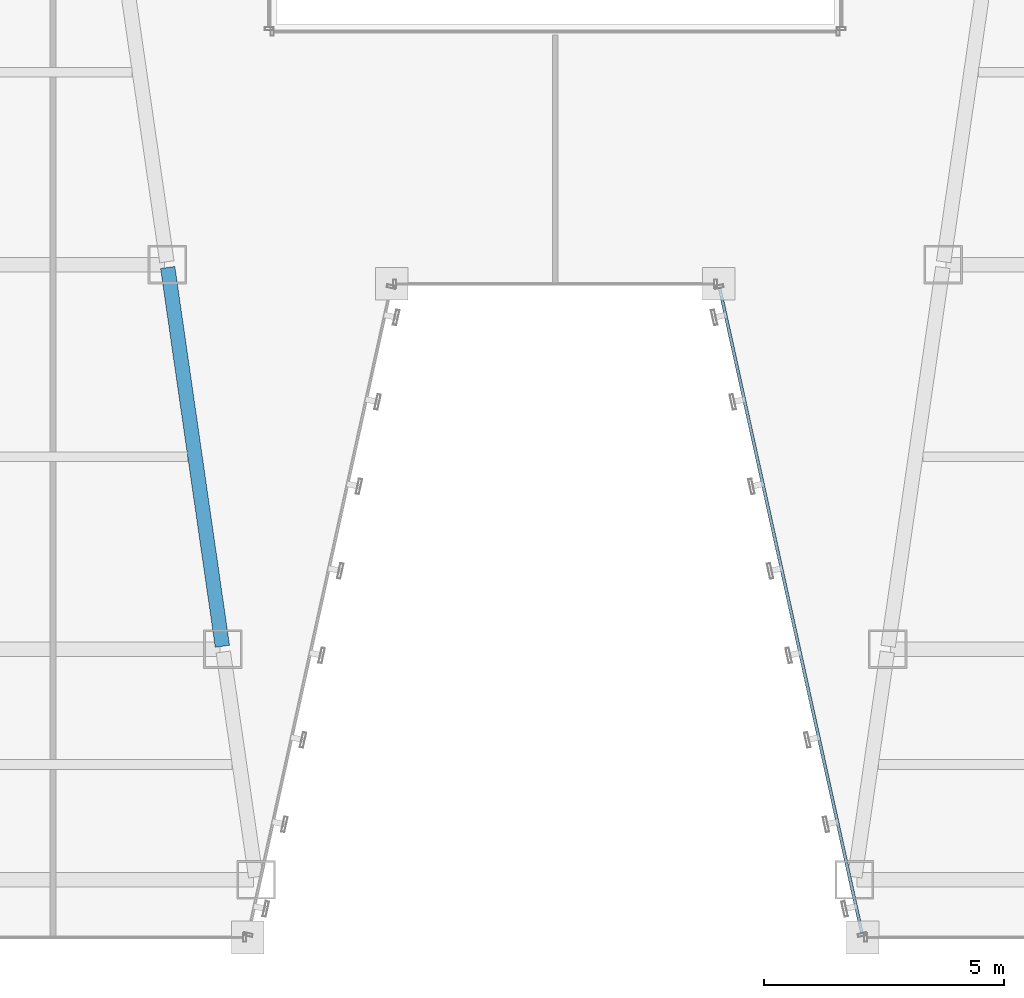
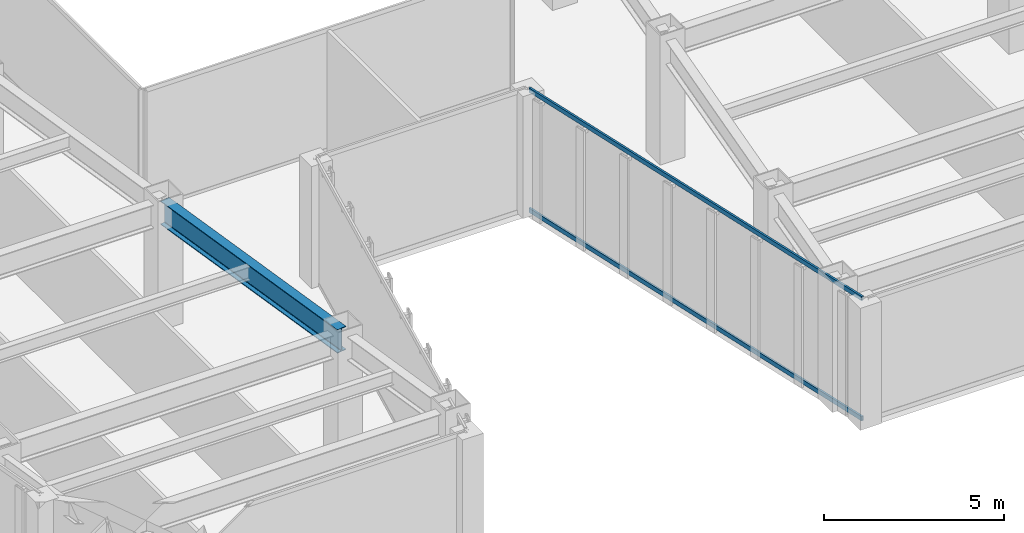
# One storey, part 8 of 47: 2 members, 1 beam, 1 element without a shape of its own.
"""IFC4 building model written with IfcOpenShell, lengths in metres."""

from ifc_helpers import new_model, si_unit, direction, frame, origin, origin_2d, place, context, subcontext, project, spatial, hollow_rectangle, i_section, extrude, material, material_profile, profile_set, type_object, element, aggregate, save


model = new_model("IFC4")

# Units and contexts
model_context = context("Model", 3, precision=1e-05, world=origin(), true_north=direction((0.0, 1.0)))
body_context = subcontext(model_context, "Body", "Model", "MODEL_VIEW")
ifc_project = project(units=[si_unit("LENGTHUNIT", "METRE"), si_unit("AREAUNIT", "SQUARE_METRE"), si_unit("VOLUMEUNIT", "CUBIC_METRE"), si_unit("PLANEANGLEUNIT", "RADIAN"), si_unit("MASSUNIT", "GRAM", prefix="KILO")], contexts=[model_context])

# Site, building, storey
site_placement = place(None, origin())
site = spatial("IfcSite", under=ifc_project, at=site_placement, CompositionType="ELEMENT")
building_placement = place(site_placement, origin())
building = spatial("IfcBuilding", under=site, at=building_placement, Name="Saevonmaru Cultural Tower", CompositionType="ELEMENT")
storey_placement = place(building_placement, frame((0.0, 0.0, 78.0)))
storey = spatial("IfcBuildingStorey", under=building, at=storey_placement, Name="L16", CompositionType="ELEMENT", Elevation=78.0)

# Beam
ifc_material_1 = material(Name="Steel SM420", Category="steel")
ifc_material_profile_1 = material_profile(ifc_material_1, i_section(OverallWidth=0.300048828125, OverallDepth=0.800048828125, WebThickness=0.013916015625, FlangeThickness=0.02587890625, FilletRadius=0.028076171875, at=origin_2d()), Name="H-800x300x14x26")
ifc_profile_set_1 = profile_set([ifc_material_profile_1], Name="Steel SM420")
beam_type = type_object("IfcBeamType", Name="BM-G-H800", PredefinedType="BEAM", material=ifc_profile_set_1)
beam_placement = place(storey_placement, frame((23.074462890625, 8.059326171875, 3.75), z_axis=(-0.142902032203, 0.989736838353, 0.0), x_axis=(-0.989736838353, -0.142902032203, 0.0)))
element("IfcBeam", 1, at=beam_placement, inside=storey, type_object=beam_type, Name="L16 West Atrium Girder 2", PredefinedType="BEAM", context=body_context, shape_type="SweptSolid", body=[
    extrude(i_section(OverallWidth=0.300048828125, OverallDepth=0.800048828125, WebThickness=0.013916015625, FlangeThickness=0.02587890625, FilletRadius=0.028076171875, at=origin_2d()), origin(), (0.0, 0.0, 1.0), 7.963134765625),
])

# Curtain wall, members
ifc_material_2 = material(Name="Satin Bronze Anodised Aluminium", Category="aluminium")
curtain_wall_type = type_object("IfcCurtainWallType", Name="CW-TYP-A", PredefinedType="NOTDEFINED", material=ifc_material_2)
curtain_wall_placement = place(storey_placement, origin())
curtain_wall = element("IfcCurtainWall", 2, at=curtain_wall_placement, inside=storey, type_object=curtain_wall_type, Name="L16 Unitised Curtain Wall E5", PredefinedType="NOTDEFINED")
ifc_material_profile_2 = material_profile(ifc_material_2, hollow_rectangle(XDim=0.06494140625, YDim=0.14990234375, WallThickness=0.00390625, at=origin_2d()), Name="ALU-TRAN-150x65x4")
ifc_profile_set_2 = profile_set([ifc_material_profile_2], Name="Satin Bronze Anodised Aluminium")
member_type = type_object("IfcMemberType", Name="TR-CW-150x65", PredefinedType="USERDEFINED", material=ifc_profile_set_2)
member_1_placement = place(storey_placement, frame((33.419921875, 15.509765625, 0.032470703125), z_axis=(0.21541214732, -0.976523223885, 0.0), x_axis=(0.976523223885, 0.21541214732, 0.0)))
member_1 = element("IfcMember", 3, at=member_1_placement, type_object=member_type, Name="CW-TW-L16-E5 transom 1.1", ObjectType="TRANSOM", PredefinedType="USERDEFINED", context=body_context, shape_type="SweptSolid", body=[
    extrude(hollow_rectangle(XDim=0.06494140625, YDim=0.14990234375, WallThickness=0.00390625, at=origin_2d()), origin(), (0.0, 0.0, 1.0), 13.741943359375),
])
member_2_placement = place(storey_placement, frame((33.419921875, 15.509765625, 4.117431640625), z_axis=(0.21541214732, -0.976523223885, 0.0), x_axis=(0.976523223885, 0.21541214732, 0.0)))
member_2 = element("IfcMember", 4, at=member_2_placement, type_object=member_type, Name="CW-TW-L16-E5 transom 1.2", ObjectType="TRANSOM", PredefinedType="USERDEFINED", context=body_context, shape_type="SweptSolid", body=[
    extrude(hollow_rectangle(XDim=0.06494140625, YDim=0.14990234375, WallThickness=0.00390625, at=origin_2d()), origin(), (0.0, 0.0, 1.0), 13.741943359375),
])
aggregate(curtain_wall, [member_1, member_2])

save(model, "model.ifc")
